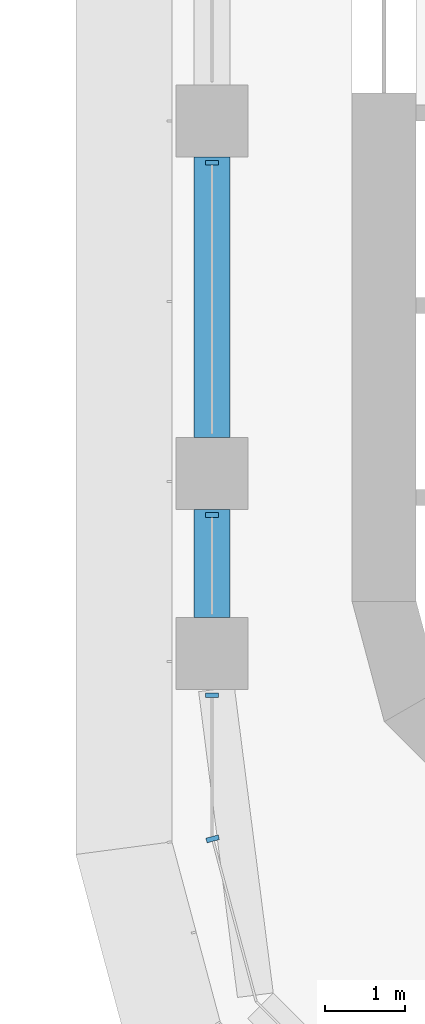
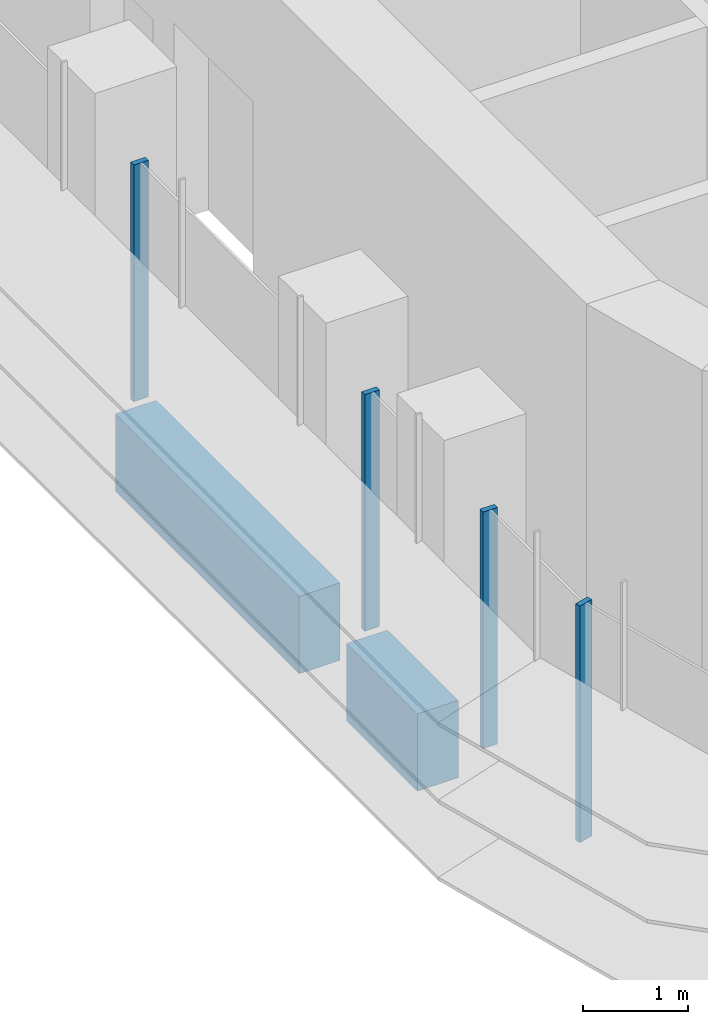
# One storey, part 2 of 21: 4 members, 2 beams, 2 elements without a shape of their own.
"""IFC4 building model written with IfcOpenShell, lengths in metres."""

import ifcopenshell
import ifcopenshell.guid

model = None  # the IFC model being written
_history = None  # IfcOwnerHistory: only IFC2X3 demands one
_inside = {}  # id of a spatial element -> (the spatial element, [elements in it])
_under = {}  # id of a project, library or spatial element -> (it, [spatial elements below it])
_declared = {}  # id of a project -> (the project, [libraries it declares])
_typed = {}  # id of a type object -> (the type object, [elements of that type])
_made_of = {}  # id of a material, layer set ... -> (it, [elements and type objects made of it])


def new_model(schema):
    """Start an empty IFC model of exactly this schema.

    Asked for "IFC4X3", IfcOpenShell would pick the latest addendum, in which some entities
    have other attributes; the version numbers below select the first issue.
    IFC2X3 requires an IfcOwnerHistory on every rooted entity: one is made here for all.
    """
    global model, _history
    if schema == "IFC4X3":
        model = ifcopenshell.file(schema_version=(4, 3, 0, 0))
    else:
        model = ifcopenshell.file(schema=schema)
    _inside.clear()
    _under.clear()
    _declared.clear()
    _typed.clear()
    _made_of.clear()
    _history = None
    if model.schema == "IFC2X3":
        org = make("IfcOrganization", Name="unknown")
        user = make(
            "IfcPersonAndOrganization",
            ThePerson=make("IfcPerson", FamilyName="unknown"),
            TheOrganization=org,
        )
        app = make(
            "IfcApplication",
            ApplicationDeveloper=org,
            Version="unknown",
            ApplicationFullName="unknown",
            ApplicationIdentifier="unknown",
        )
        _history = make(
            "IfcOwnerHistory",
            OwningUser=user,
            OwningApplication=app,
            ChangeAction="ADDED",
            CreationDate=0,
        )
    return model


def make(cls, **values):
    """One entity of the class cls with the attributes given. An attribute that is None is left unset."""
    return model.create_entity(
        cls, **{name: value for name, value in values.items() if value is not None}
    )


def rooted(cls, **values):
    """An entity with a GlobalId (a new one), such as an element, a storey or a relation."""
    return make(cls, GlobalId=ifcopenshell.guid.new(), OwnerHistory=_history, **values)


def si_unit(unit_type, name, prefix=None):
    """IfcSIUnit, for example si_unit("LENGTHUNIT", "METRE", prefix="MILLI")."""
    return make("IfcSIUnit", UnitType=unit_type, Prefix=prefix, Name=name)


def assignment(units):
    """IfcUnitAssignment: the units of a project."""
    return None if units is None else make("IfcUnitAssignment", Units=units)


def point(xyz):
    """IfcCartesianPoint."""
    return None if xyz is None else make("IfcCartesianPoint", Coordinates=xyz)


def direction(xyz):
    """IfcDirection."""
    return None if xyz is None else make("IfcDirection", DirectionRatios=xyz)


def frame(location, z_axis=None, x_axis=None):
    """IfcAxis2Placement3D, a coordinate frame: its origin and axes. An axis left out is left unset."""
    return make(
        "IfcAxis2Placement3D",
        Location=point(location),
        Axis=direction(z_axis),
        RefDirection=direction(x_axis),
    )


def frame_2d(location, x_axis=None):
    """IfcAxis2Placement2D, a coordinate frame in the plane: its origin and x axis."""
    return make(
        "IfcAxis2Placement2D", Location=point(location), RefDirection=direction(x_axis)
    )


def origin():
    """The frame at (0, 0, 0) with its axes left unset."""
    return frame((0.0, 0.0, 0.0))


def origin_2d():
    """The frame at (0, 0) in the plane with its x axis left unset."""
    return frame_2d((0.0, 0.0))


def place(relative_to, where):
    """IfcLocalPlacement: puts the frame where relative to a parent placement (None: the world)."""
    return make(
        "IfcLocalPlacement", PlacementRelTo=relative_to, RelativePlacement=where
    )


def context(
    kind, dimensions, precision=None, world=None, true_north=None, identifier=None
):
    """IfcGeometricRepresentationContext, for example the 3D "Model" context."""
    return make(
        "IfcGeometricRepresentationContext",
        ContextIdentifier=identifier,
        ContextType=kind,
        CoordinateSpaceDimension=dimensions,
        Precision=precision,
        WorldCoordinateSystem=world,
        TrueNorth=true_north,
    )


def subcontext(parent, identifier, kind, view, scale=None):
    """IfcGeometricRepresentationSubContext, for example "Body" below "Model"."""
    return make(
        "IfcGeometricRepresentationSubContext",
        ContextIdentifier=identifier,
        ContextType=kind,
        ParentContext=parent,
        TargetScale=scale,
        TargetView=view,
    )


def project(units=None, contexts=None):
    """IfcProject with its units and contexts."""
    return rooted(
        "IfcProject",
        Name="project",
        RepresentationContexts=contexts,
        UnitsInContext=assignment(units),
    )


def spatial(cls, under=None, at=None, **own):
    """A site, building, storey or space (cls), placed at a placement, below another one or the project."""
    s = rooted(cls, ObjectPlacement=at, **own)
    if under is not None:
        _under.setdefault(under.id(), (under, []))[1].append(s)
    return s


def polyline(points):
    """IfcPolyline through the points."""
    return make("IfcPolyline", Points=[point(p) for p in points])


def profile(cls, at=None, kind="AREA", **sizes):
    """A parametric profile (cls). Its sizes go by their IFC names, for example OverallWidth=200.0."""
    return make(cls, ProfileType=kind, Position=at, **sizes)


def rectangle(**sizes):
    """IfcRectangleProfileDef."""
    return profile("IfcRectangleProfileDef", **sizes)


def outline(outer, holes=None, kind="AREA"):
    """IfcArbitraryClosedProfileDef: a profile drawn as a closed curve; with holes, ...WithVoids."""
    if holes is None:
        return make("IfcArbitraryClosedProfileDef", ProfileType=kind, OuterCurve=outer)
    return make(
        "IfcArbitraryProfileDefWithVoids",
        ProfileType=kind,
        OuterCurve=outer,
        InnerCurves=holes,
    )


def extrude(swept, where, along, depth):
    """IfcExtrudedAreaSolid: the profile swept, set in the frame where, extruded along a direction by depth."""
    return make(
        "IfcExtrudedAreaSolid",
        SweptArea=swept,
        Position=where,
        ExtrudedDirection=direction(along),
        Depth=depth,
    )


def shape(context_of_items, identifier, shape_type, items):
    """IfcShapeRepresentation: the items that make up one representation, for example the "Body"."""
    return make(
        "IfcShapeRepresentation",
        ContextOfItems=context_of_items,
        RepresentationIdentifier=identifier,
        RepresentationType=shape_type,
        Items=items,
    )


def source(mapping_origin, context_of_items, identifier, shape_type, items):
    """IfcRepresentationMap: a shape defined once, which mapped items show again and again."""
    return make(
        "IfcRepresentationMap",
        MappingOrigin=mapping_origin,
        MappedRepresentation=shape(context_of_items, identifier, shape_type, items),
    )


def transform(
    local_origin,
    x_axis=None,
    y_axis=None,
    z_axis=None,
    scale=None,
    scale2=None,
    scale3=None,
    uniform=True,
):
    """IfcCartesianTransformationOperator3D, or its non-uniform kind. x_axis, y_axis, z_axis: its Axis1, 2, 3."""
    if uniform:
        return make(
            "IfcCartesianTransformationOperator3D",
            Axis1=direction(x_axis),
            Axis2=direction(y_axis),
            LocalOrigin=point(local_origin),
            Scale=scale,
            Axis3=direction(z_axis),
        )
    return make(
        "IfcCartesianTransformationOperator3DnonUniform",
        Axis1=direction(x_axis),
        Axis2=direction(y_axis),
        LocalOrigin=point(local_origin),
        Scale=scale,
        Axis3=direction(z_axis),
        Scale2=scale2,
        Scale3=scale3,
    )


def mapped(mapping_source, mapping_target):
    """IfcMappedItem: shows the shape of a source again, moved by a transform."""
    return make(
        "IfcMappedItem", MappingSource=mapping_source, MappingTarget=mapping_target
    )


def material(Name=None, Category=None):
    """IfcMaterial."""
    return make("IfcMaterial", Name=Name, Category=Category)


def material_profile(
    of_material, cross_section, Name=None, Category=None, Priority=None
):
    """IfcMaterialProfile: a cross section and its material."""
    return make(
        "IfcMaterialProfile",
        Name=Name,
        Material=of_material,
        Profile=cross_section,
        Priority=Priority,
        Category=Category,
    )


def profile_set(profiles, Name=None, composite=None):
    """IfcMaterialProfileSet."""
    return make(
        "IfcMaterialProfileSet",
        Name=Name,
        MaterialProfiles=profiles,
        CompositeProfile=composite,
    )


def made_of(thing, what):
    """Note that an element or type object is made of a material, layer set ...; save() writes the relation."""
    if what is not None:
        _made_of.setdefault(what.id(), (what, []))[1].append(thing)
    return thing


def type_object(cls, material=None, **own):
    """A type object (cls), such as IfcWallType, which elements share."""
    return made_of(rooted(cls, **own), material)


def element(
    cls,
    number,
    at=None,
    inside=None,
    cuts=None,
    type_object=None,
    material=None,
    context=None,
    identifier="Body",
    shape_type=None,
    held_by="IfcProductDefinitionShape",
    body=None,
    shapes=None,
    **own,
):
    """One element of the class cls, such as IfcWall. Its Tag is "e" and its number.

    at: its placement. inside: the storey or other place that contains it. cuts: it is an
    opening in that element (IfcRelVoidsElement). A single representation is given by context,
    identifier, shape_type and body (its items); several are given by shapes. held_by: the class
    of the entity that holds the representations. save() writes the other relations.
    """
    e = rooted(cls, Tag="e%d" % number, ObjectPlacement=at, **own)
    if body is not None:
        shapes = [shape(context, identifier, shape_type, body)]
    if shapes is not None:
        e.Representation = make(held_by, Representations=shapes)
    if inside is not None:
        _inside.setdefault(inside.id(), (inside, []))[1].append(e)
    if cuts is not None:
        rooted(
            "IfcRelVoidsElement", RelatingBuildingElement=cuts, RelatedOpeningElement=e
        )
    if type_object is not None:
        _typed.setdefault(type_object.id(), (type_object, []))[1].append(e)
    return made_of(e, material)


def aggregate(whole, parts):
    """IfcRelAggregates: a whole, such as a stair, and the parts it consists of."""
    return rooted("IfcRelAggregates", RelatingObject=whole, RelatedObjects=parts)


def save(model, path):
    """Write the relations noted so far, then the file.

    IfcRelAggregates (storeys below a building ...), IfcRelContainedInSpatialStructure (elements
    in a storey), IfcRelDefinesByType, IfcRelAssociatesMaterial and IfcRelDeclares: one each for
    every whole, place, type object, material and project.
    """
    for whole, parts in _under.values():
        aggregate(whole, parts)
    for where, things in _inside.values():
        rooted(
            "IfcRelContainedInSpatialStructure",
            RelatedElements=things,
            RelatingStructure=where,
        )
    for kind, things in _typed.values():
        rooted("IfcRelDefinesByType", RelatedObjects=things, RelatingType=kind)
    for what, things in _made_of.values():
        rooted("IfcRelAssociatesMaterial", RelatedObjects=things, RelatingMaterial=what)
    for by, libraries in _declared.values():
        rooted("IfcRelDeclares", RelatingContext=by, RelatedDefinitions=libraries)
    model.write(path)


model = new_model("IFC4")

# Units and contexts
model_context = context("Model", 3, precision=1e-05, world=origin(), true_north=direction((0.0, 1.0)))
body_context = subcontext(model_context, "Body", "Model", "MODEL_VIEW")
ifc_project = project(units=[si_unit("LENGTHUNIT", "METRE"), si_unit("AREAUNIT", "SQUARE_METRE"), si_unit("VOLUMEUNIT", "CUBIC_METRE"), si_unit("PLANEANGLEUNIT", "RADIAN"), si_unit("MASSUNIT", "GRAM", prefix="KILO")], contexts=[model_context])

# Site, building, storey
site_placement = place(None, origin())
site = spatial("IfcSite", under=ifc_project, at=site_placement, CompositionType="ELEMENT")
building_placement = place(site_placement, origin())
building = spatial("IfcBuilding", under=site, at=building_placement, Name="Zarbagh Exchange Tower", CompositionType="ELEMENT")
storey_placement = place(building_placement, frame((0.0, 0.0, 117.0)))
storey = spatial("IfcBuildingStorey", under=building, at=storey_placement, Name="L27", CompositionType="ELEMENT", Elevation=117.0)

# Beams
ifc_material_1 = material(Name="Concrete C60/75", Category="concrete")
ifc_material_profile = material_profile(ifc_material_1, rectangle(XDim=0.449951171875, YDim=0.89990234375, at=origin_2d()), Name="RC spandrel beam 450 x 900 C60/75")
ifc_profile_set = profile_set([ifc_material_profile], Name="Concrete C60/75")
beam_type = type_object("IfcBeamType", Name="RC spandrel beam 450 x 900 C60/75", PredefinedType="SPANDREL", material=ifc_profile_set)
beam_1_placement = place(storey_placement, frame((-6.25, -26.449951171875, -0.60009765625), z_axis=(0.0, 1.0, 0.0), x_axis=(-1.0, 0.0, 0.0)))
element("IfcBeam", 1, at=beam_1_placement, inside=storey, type_object=beam_type, Name="RC spandrel beam", PredefinedType="SPANDREL", context=body_context, shape_type="SweptSolid", body=[
    extrude(rectangle(XDim=0.449951171875, YDim=0.89990234375, at=origin_2d()), origin(), (0.0, 0.0, 1.0), 1.349853515625),
])
beam_2_placement = place(storey_placement, frame((-6.25, -24.199951171875, -0.60009765625), z_axis=(0.0, 1.0, 0.0), x_axis=(-1.0, 0.0, 0.0)))
element("IfcBeam", 2, at=beam_2_placement, inside=storey, type_object=beam_type, Name="RC spandrel beam", PredefinedType="SPANDREL", context=body_context, shape_type="SweptSolid", body=[
    extrude(rectangle(XDim=0.449951171875, YDim=0.89990234375, at=origin_2d()), origin(), (0.0, 0.0, 1.0), 3.5),
])

# Curtain wall, members
ifc_material_2 = material(Name="Anodised aluminium frame and glazing", Category="aluminium")
curtain_wall_type = type_object("IfcCurtainWallType", Name="CWA Ribbon glazing, lower zones", PredefinedType="NOTDEFINED", material=ifc_material_2)
curtain_wall_1_placement = place(storey_placement, origin())
curtain_wall_1 = element("IfcCurtainWall", 3, at=curtain_wall_1_placement, inside=storey, type_object=curtain_wall_type, Name="CWA44 curtain wall", PredefinedType="NOTDEFINED")
ifc_material_3 = material(Name="Anodised aluminium frame", Category="aluminium")
member_type = type_object("IfcMemberType", Name="MUA Mullion, anodised aluminium frame", PredefinedType="MULLION", material=ifc_material_3)
shared_shape = source(origin(), body_context, "Body", "SweptSolid", [
    extrude(outline(polyline([(0.0, -0.080078125), (0.06005859375, -0.080078125), (0.06005859375, 0.080078125), (0.0, 0.080078125), (0.0, -0.080078125)])), origin(), (0.0, 0.0, 1.0), 2.75),
])
placement = place(storey_placement, origin())
member_1 = element("IfcMember", 4, at=placement, type_object=member_type, Name="CWA44 mullion 3.1", PredefinedType="MULLION", context=body_context, shape_type="MappedRepresentation", body=[
    mapped(shared_shape, transform((-6.25, -20.739990234375, 0.0), x_axis=(0.0, -1.0, 0.0), y_axis=(1.0, 0.0, 0.0), z_axis=(0.0, 0.0, 1.0))),
])
member_2 = element("IfcMember", 5, at=placement, type_object=member_type, Name="CWA44 mullion 4.1", PredefinedType="MULLION", context=body_context, shape_type="MappedRepresentation", body=[
    mapped(shared_shape, transform((-6.25, -25.14013671875, 0.0), x_axis=(0.0, -1.0, 0.0), y_axis=(1.0, 0.0, 0.0), z_axis=(0.0, 0.0, 1.0))),
])
member_3 = element("IfcMember", 6, at=placement, type_object=member_type, Name="CWA44 mullion 5.1", PredefinedType="MULLION", context=body_context, shape_type="MappedRepresentation", body=[
    mapped(shared_shape, transform((-6.25, -27.39013671875, 0.0), x_axis=(0.0, -1.0, 0.0), y_axis=(1.0, 0.0, 0.0), z_axis=(0.0, 0.0, 1.0))),
])
aggregate(curtain_wall_1, [member_1, member_2, member_3])

# Curtain wall, member
curtain_wall_2_placement = place(storey_placement, origin())
curtain_wall_2 = element("IfcCurtainWall", 7, at=curtain_wall_2_placement, inside=storey, type_object=curtain_wall_type, Name="CWA45 curtain wall", PredefinedType="NOTDEFINED")
member_4 = element("IfcMember", 8, at=placement, type_object=member_type, Name="CWA45 mullion 1.1", PredefinedType="MULLION", context=body_context, shape_type="MappedRepresentation", body=[
    mapped(shared_shape, transform((-6.25, -29.18408203125, 0.0), x_axis=(0.258824779902, -0.965924289636, 0.0), y_axis=(0.965924289636, 0.258824779902, 0.0), z_axis=(0.0, 0.0, 1.0))),
])
aggregate(curtain_wall_2, [member_4])

save(model, "model.ifc")
